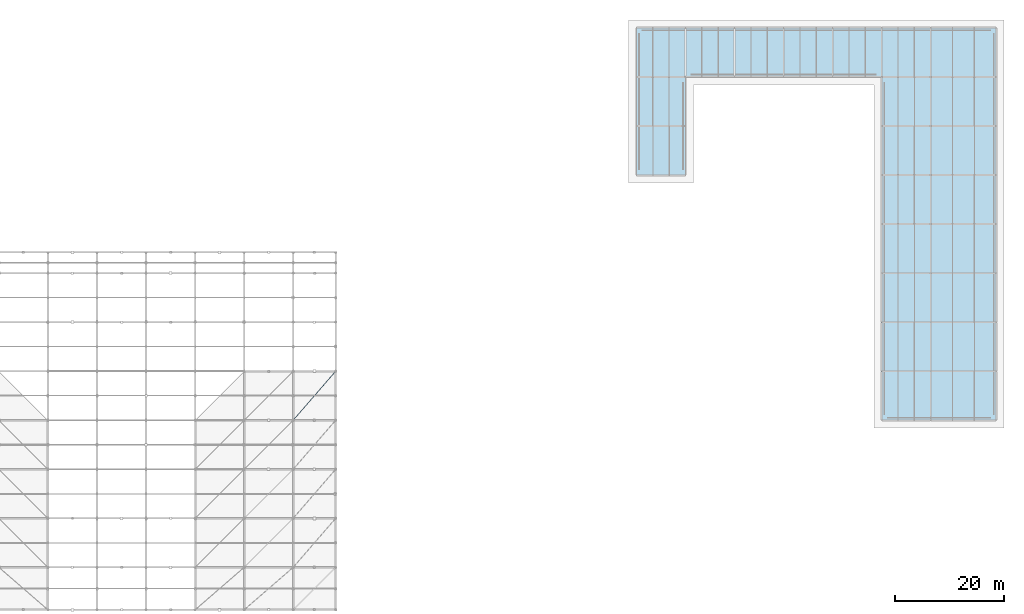
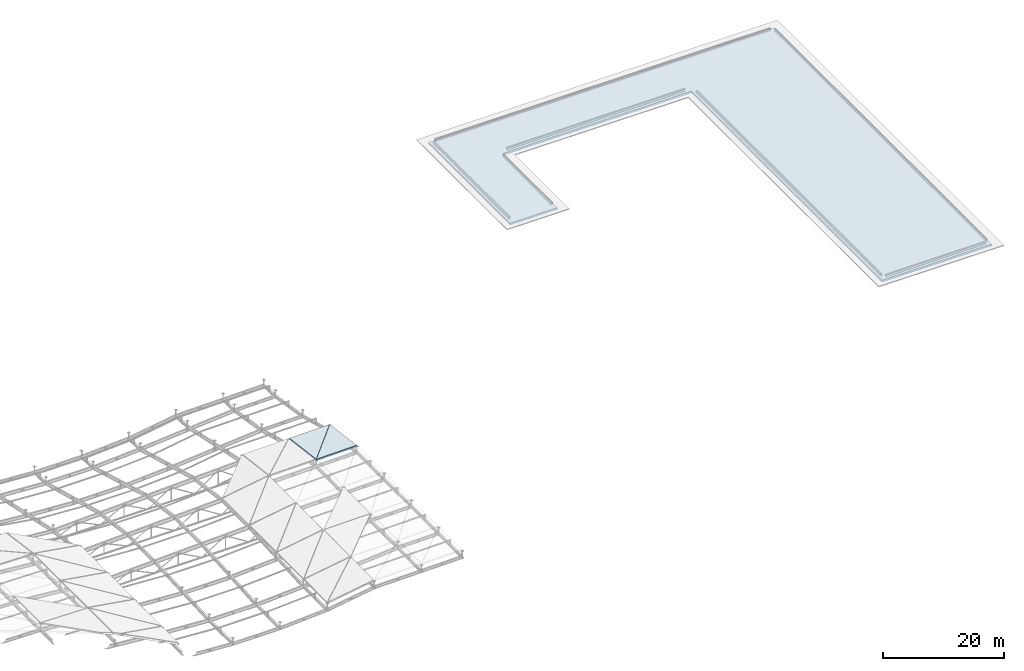
# One storey, part 75 of 80: 3 slabs.
"""IFC4 building model written with IfcOpenShell, lengths in metres."""

from ifc_helpers import new_model, si_unit, direction, frame, origin, place, context, subcontext, project, spatial, polyline, outline, extrude, material, layer, layer_set, type_object, element, save


model = new_model("IFC4")

# Units and contexts
model_context = context("Model", 3, precision=1e-05, world=origin(), true_north=direction((0.0, 1.0)))
body_context = subcontext(model_context, "Body", "Model", "MODEL_VIEW")
ifc_project = project(units=[si_unit("LENGTHUNIT", "METRE"), si_unit("AREAUNIT", "SQUARE_METRE"), si_unit("VOLUMEUNIT", "CUBIC_METRE"), si_unit("PLANEANGLEUNIT", "RADIAN"), si_unit("MASSUNIT", "GRAM", prefix="KILO")], contexts=[model_context])

# Site, building, storey
site_placement = place(None, origin())
site = spatial("IfcSite", under=ifc_project, at=site_placement, CompositionType="ELEMENT")
building_placement = place(site_placement, origin())
building = spatial("IfcBuilding", under=site, at=building_placement, Name="Barlavento Convention Centre", CompositionType="ELEMENT")
storey_placement = place(building_placement, frame((0.0, 0.0, 29.800048828125)))
storey = spatial("IfcBuildingStorey", under=building, at=storey_placement, Name="RF", CompositionType="ELEMENT", Elevation=29.800048828125)

# Slabs
ifc_material = material(Name="Concrete C40/50", Category="concrete")
ifc_layer_1 = layer(ifc_material, 0.2548828125)
ifc_layer_set_1 = layer_set([ifc_layer_1], Name="STR-SLB-CONG-165")
slab_type_1 = type_object("IfcSlabType", Name="STR-SLB-CONG-165", PredefinedType="ROOF", material=ifc_layer_set_1)
slab_1_placement = place(storey_placement, frame((63.0126953125, 27.029296875, 1.68701171875), z_axis=(-0.014217764248, 0.130648130895, 0.99132684876), x_axis=(0.652228098527, 0.752679803599, -0.089842199143)))
element("IfcSlab", 1, at=slab_1_placement, inside=storey, type_object=slab_type_1, Name="Congress sweeping roof facet CRF-12", PredefinedType="ROOF", context=body_context, shape_type="SweptSolid", body=[
    extrude(outline(polyline([(0.0, 0.0), (11.89694449211809, 8.049116928532385e-16), (6.845208773895937, 5.879930031522675), (0.0, 0.0)])), origin(), (0.0, 0.0, -1.0), 0.2548828125),
])
ifc_layer_2 = layer(ifc_material, 0.27001953125)
ifc_layer_set_2 = layer_set([ifc_layer_2], Name="STR-SLB-CONG-180")
slab_type_2 = type_object("IfcSlabType", Name="STR-SLB-CONG-180", PredefinedType="ROOF", material=ifc_layer_set_2)
slab_2_placement = place(storey_placement, frame((63.027587890625, 27.01611328125, 1.687255859375), z_axis=(-0.01449840245, 0.130488313683, 0.991343833551), x_axis=(0.999894522736, 0.001039260449, 0.014486660802)))
element("IfcSlab", 2, at=slab_2_placement, inside=storey, type_object=slab_type_2, Name="Congress sweeping roof facet CRF-11", PredefinedType="ROOF", context=body_context, shape_type="SweptSolid", body=[
    extrude(outline(polyline([(0.0, 0.0), (7.752282533304939, 1.734723475976807e-18), (7.752822315500502, 9.023691496182208), (0.0, 0.0)])), origin(), (0.0, 0.0, -1.0), 0.27001953125),
])
ifc_layer_3 = layer(ifc_material, 0.364990234375)
ifc_layer_set_3 = layer_set([ifc_layer_3], Name="STR-SLB-ROOF-360")
slab_type_3 = type_object("IfcSlabType", Name="STR-SLB-ROOF-360", PredefinedType="ROOF", material=ifc_layer_set_3)
slab_3_placement = place(storey_placement, frame((0.0, 0.0, -0.364990234375)))
element("IfcSlab", 3, at=slab_3_placement, inside=storey, type_object=slab_type_3, Name="RF structural flat roof slab RS-601", PredefinedType="ROOF", context=body_context, shape_type="SweptSolid", body=[
    extrude(outline(polyline([(171.0, 27.0), (192.0, 27.0), (192.0, 99.0), (126.0, 99.0), (126.0, 72.0), (135.0, 72.0), (135.0, 90.0), (171.0, 90.0), (171.0, 27.0)])), origin(), (0.0, 0.0, 1.0), 0.364990234375),
])

save(model, "model.ifc")
